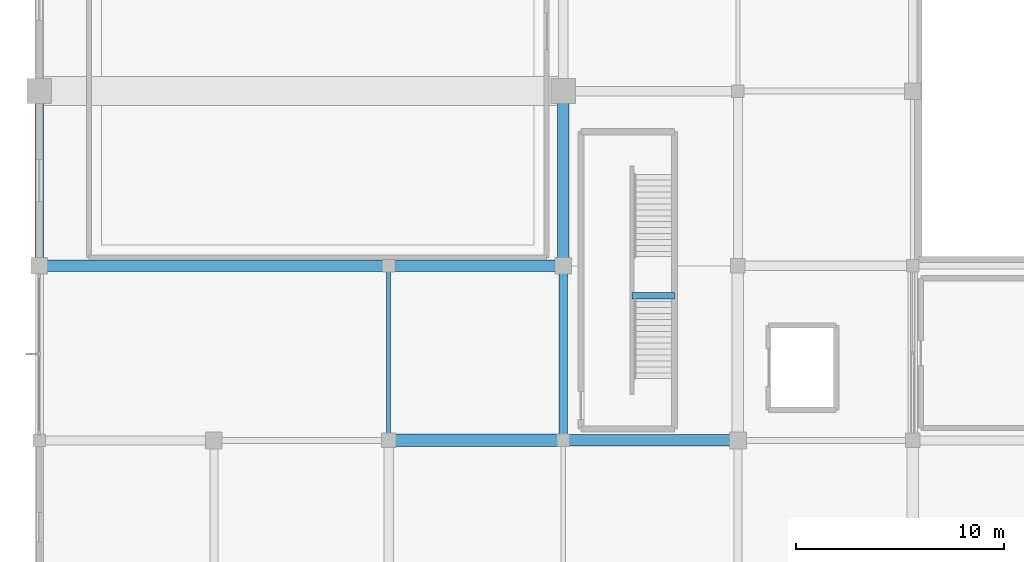
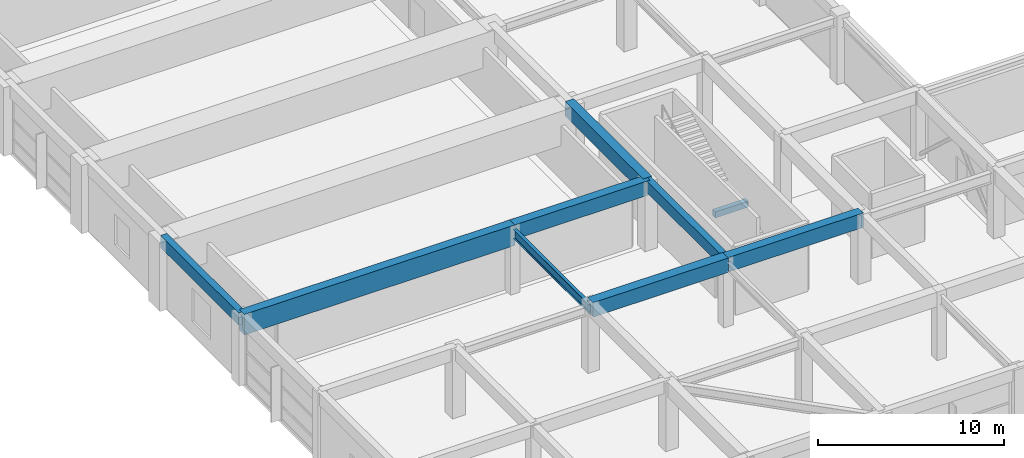
# One storey, part 12 of 62: 9 beams.
"""IFC4 building model written with IfcOpenShell, lengths in metres."""

from ifc_helpers import new_model, si_unit, direction, frame, origin, origin_2d, place, context, subcontext, project, spatial, rectangle, i_section, extrude, material, material_profile, profile_set, type_object, element, save


model = new_model("IFC4")

# Units and contexts
model_context = context("Model", 3, precision=1e-05, world=origin(), true_north=direction((0.0, 1.0)))
body_context = subcontext(model_context, "Body", "Model", "MODEL_VIEW")
ifc_project = project(units=[si_unit("LENGTHUNIT", "METRE"), si_unit("AREAUNIT", "SQUARE_METRE"), si_unit("VOLUMEUNIT", "CUBIC_METRE"), si_unit("PLANEANGLEUNIT", "RADIAN"), si_unit("MASSUNIT", "GRAM", prefix="KILO")], contexts=[model_context])

# Site, building, storey
site_placement = place(None, origin())
site = spatial("IfcSite", under=ifc_project, at=site_placement, CompositionType="ELEMENT")
building_placement = place(site_placement, origin())
building = spatial("IfcBuilding", under=site, at=building_placement, Name="Xuanlan Plaza Opera House", CompositionType="ELEMENT")
storey_placement = place(building_placement, frame((0.0, 0.0, 14.39990234375)))
storey = spatial("IfcBuildingStorey", under=building, at=storey_placement, Name="L03", CompositionType="ELEMENT", Elevation=14.39990234375)

# Beams
ifc_material_1 = material(Name="Concrete C50", Category="concrete")
ifc_material_profile_1 = material_profile(ifc_material_1, rectangle(XDim=0.60009765625, YDim=0.949951171875, at=origin_2d()), Name="RC-BM 600x950")
ifc_profile_set_1 = profile_set([ifc_material_profile_1], Name="Concrete C50")
beam_type_1 = type_object("IfcBeamType", Name="STR-BM-B-01", PredefinedType="BEAM", material=ifc_profile_set_1)
beam_1_placement = place(storey_placement, frame((16.800048828125, 33.60009765625, 4.025146484375), z_axis=(1.0, 0.0, 0.0), x_axis=(0.0, 1.0, 0.0)))
element("IfcBeam", 1, at=beam_1_placement, inside=storey, type_object=beam_type_1, Name="Grid Beam X L03 3-4/E", PredefinedType="BEAM", context=body_context, shape_type="SweptSolid", body=[
    extrude(rectangle(XDim=0.60009765625, YDim=0.949951171875, at=origin_2d()), origin(), (0.0, 0.0, 1.0), 8.39990234375),
])
ifc_material_profile_2 = material_profile(ifc_material_1, rectangle(XDim=0.550048828125, YDim=0.949951171875, at=origin_2d()), Name="RC-BM 550x950")
ifc_profile_set_2 = profile_set([ifc_material_profile_2], Name="Concrete C50")
beam_type_2 = type_object("IfcBeamType", Name="STR-BM-B-02", PredefinedType="BEAM", material=ifc_profile_set_2)
beam_2_placement = place(storey_placement, frame((25.199951171875, 33.60009765625, 4.025146484375), z_axis=(1.0, 0.0, 0.0), x_axis=(0.0, 1.0, 0.0)))
element("IfcBeam", 2, at=beam_2_placement, inside=storey, type_object=beam_type_2, Name="Grid Beam X L03 4-5/E", PredefinedType="BEAM", context=body_context, shape_type="SweptSolid", body=[
    extrude(rectangle(XDim=0.550048828125, YDim=0.949951171875, at=origin_2d()), origin(), (0.0, 0.0, 1.0), 8.400146484375),
])
for number, where, z_axis, x_axis, name in (
    (3, (16.800048828125, 42.0, 4.025146484375), (1.0, 0.0, 0.0), (0.0, 1.0, 0.0), "Grid Beam X L03 3-4/F"),
    (4, (25.199951171875, 42.0, 4.025146484375), (0.0, 1.0, 0.0), (-1.0, 0.0, 0.0), "Grid Beam Y L03 4/F-G"),
):
    element("IfcBeam", number, at=place(storey_placement, frame(where, z_axis=z_axis, x_axis=x_axis)), inside=storey, type_object=beam_type_2, Name=name, PredefinedType="BEAM", context=body_context, shape_type="SweptSolid", body=[
        extrude(rectangle(XDim=0.550048828125, YDim=0.949951171875, at=origin_2d()), origin(), (0.0, 0.0, 1.0), 8.39990234375),
    ])
ifc_material_2 = material(Name="Concrete C40", Category="concrete")
ifc_material_profile_3 = material_profile(ifc_material_2, rectangle(XDim=0.39990234375, YDim=0.75, at=origin_2d()), Name="RC-BM 400x750")
ifc_profile_set_3 = profile_set([ifc_material_profile_3], Name="Concrete C40")
beam_type_3 = type_object("IfcBeamType", Name="STR-BM-B-06", PredefinedType="BEAM", material=ifc_profile_set_3)
beam_3_placement = place(storey_placement, frame((25.199951171875, 33.60009765625, 4.125), z_axis=(0.0, 1.0, 0.0), x_axis=(-1.0, 0.0, 0.0)))
element("IfcBeam", 5, at=beam_3_placement, inside=storey, type_object=beam_type_3, Name="Grid Beam Y L03 4/E-F", PredefinedType="BEAM", context=body_context, shape_type="SweptSolid", body=[
    extrude(rectangle(XDim=0.39990234375, YDim=0.75, at=origin_2d()), origin(), (0.0, 0.0, 1.0), 8.39990234375),
])
ifc_material_profile_4 = material_profile(ifc_material_1, rectangle(XDim=0.550048828125, YDim=1.35009765625, at=origin_2d()), Name="RC-SPD 550x1350")
ifc_profile_set_4 = profile_set([ifc_material_profile_4], Name="Concrete C50")
beam_type_4 = type_object("IfcBeamType", Name="STR-BM-LG-SP1", PredefinedType="SPANDREL", material=ifc_profile_set_4)
beam_4_placement = place(storey_placement, frame((0.0, 42.0, 3.8251953125), z_axis=(1.0, 0.0, 0.0), x_axis=(0.0, 1.0, 0.0)))
element("IfcBeam", 6, at=beam_4_placement, inside=storey, type_object=beam_type_4, Name="Grid Beam X L03 1-3/F", PredefinedType="SPANDREL", context=body_context, shape_type="SweptSolid", body=[
    extrude(rectangle(XDim=0.550048828125, YDim=1.35009765625, at=origin_2d()), origin(), (0.0, 0.0, 1.0), 16.800048828125),
])
ifc_material_profile_5 = material_profile(ifc_material_2, rectangle(XDim=0.300048828125, YDim=0.39990234375, at=origin_2d()), Name="RC-LNT 300x400")
ifc_profile_set_5 = profile_set([ifc_material_profile_5], Name="Concrete C40")
beam_type_5 = type_object("IfcBeamType", Name="STR-BM-LN-01", PredefinedType="LINTEL", material=ifc_profile_set_5)
beam_5_placement = place(storey_placement, frame((28.5, 40.56005859375, 1.85009765625), z_axis=(1.0, 0.0, 0.0), x_axis=(0.0, 1.0, 0.0)))
element("IfcBeam", 7, at=beam_5_placement, inside=storey, type_object=beam_type_5, Name="Stair Mid-Landing Trimmer Beam ST-P1 L03", PredefinedType="LINTEL", context=body_context, shape_type="SweptSolid", body=[
    extrude(rectangle(XDim=0.300048828125, YDim=0.39990234375, at=origin_2d()), origin(), (0.0, 0.0, 1.0), 2.050048828125),
])
ifc_material_3 = material(Name="Steel Q355B", Category="steel")
ifc_material_profile_6 = material_profile(ifc_material_3, i_section(OverallWidth=0.199951171875, OverallDepth=0.60009765625, WebThickness=0.010986328125, FlangeThickness=0.01708984375, FilletRadius=0.02197265625, at=origin_2d()), Name="HN 600x200x11x17")
ifc_profile_set_6 = profile_set([ifc_material_profile_6], Name="Steel Q355B")
beam_type_6 = type_object("IfcBeamType", Name="STR-BM-SB-04", PredefinedType="BEAM", material=ifc_profile_set_6)
beam_6_placement = place(storey_placement, frame((16.800048828125, 33.60009765625, 3.93505859375), z_axis=(0.0, 1.0, 0.0), x_axis=(-1.0, 0.0, 0.0)))
element("IfcBeam", 8, at=beam_6_placement, inside=storey, type_object=beam_type_6, Name="Grid Beam Y L03 3/E-F", PredefinedType="BEAM", context=body_context, shape_type="SweptSolid", body=[
    extrude(i_section(OverallWidth=0.199951171875, OverallDepth=0.60009765625, WebThickness=0.010986328125, FlangeThickness=0.01708984375, FilletRadius=0.02197265625, at=origin_2d()), origin(), (0.0, 0.0, 1.0), 8.39990234375),
])
ifc_material_profile_7 = material_profile(ifc_material_2, rectangle(XDim=0.39990234375, YDim=0.800048828125, at=origin_2d()), Name="RC-SPD 400x800")
ifc_profile_set_7 = profile_set([ifc_material_profile_7], Name="Concrete C40")
beam_type_7 = type_object("IfcBeamType", Name="STR-BM-SP-01", PredefinedType="SPANDREL", material=ifc_profile_set_7)
beam_7_placement = place(storey_placement, frame((0.0, 42.0, 4.10009765625), z_axis=(0.0, 1.0, 0.0), x_axis=(-1.0, 0.0, 0.0)))
element("IfcBeam", 9, at=beam_7_placement, inside=storey, type_object=beam_type_7, Name="Grid Beam Y L03 1/F-G", PredefinedType="SPANDREL", context=body_context, shape_type="SweptSolid", body=[
    extrude(rectangle(XDim=0.39990234375, YDim=0.800048828125, at=origin_2d()), origin(), (0.0, 0.0, 1.0), 8.39990234375),
])

save(model, "model.ifc")
